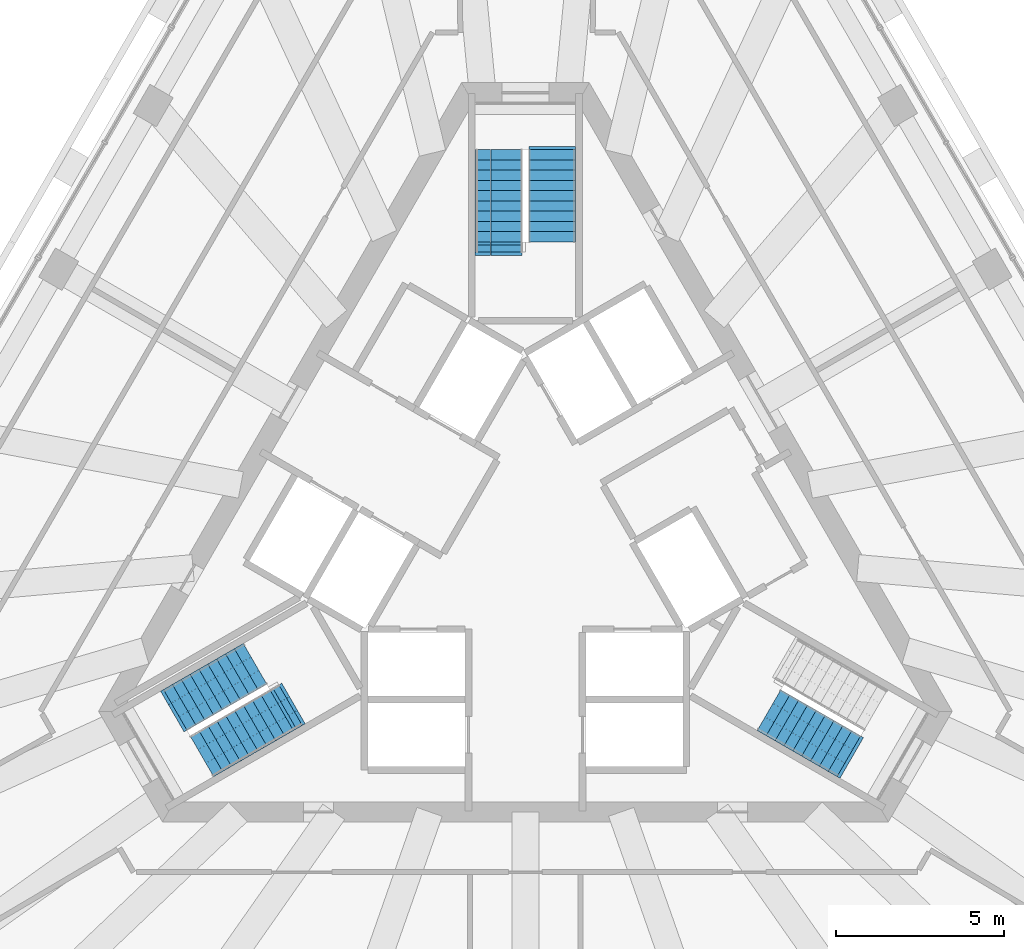
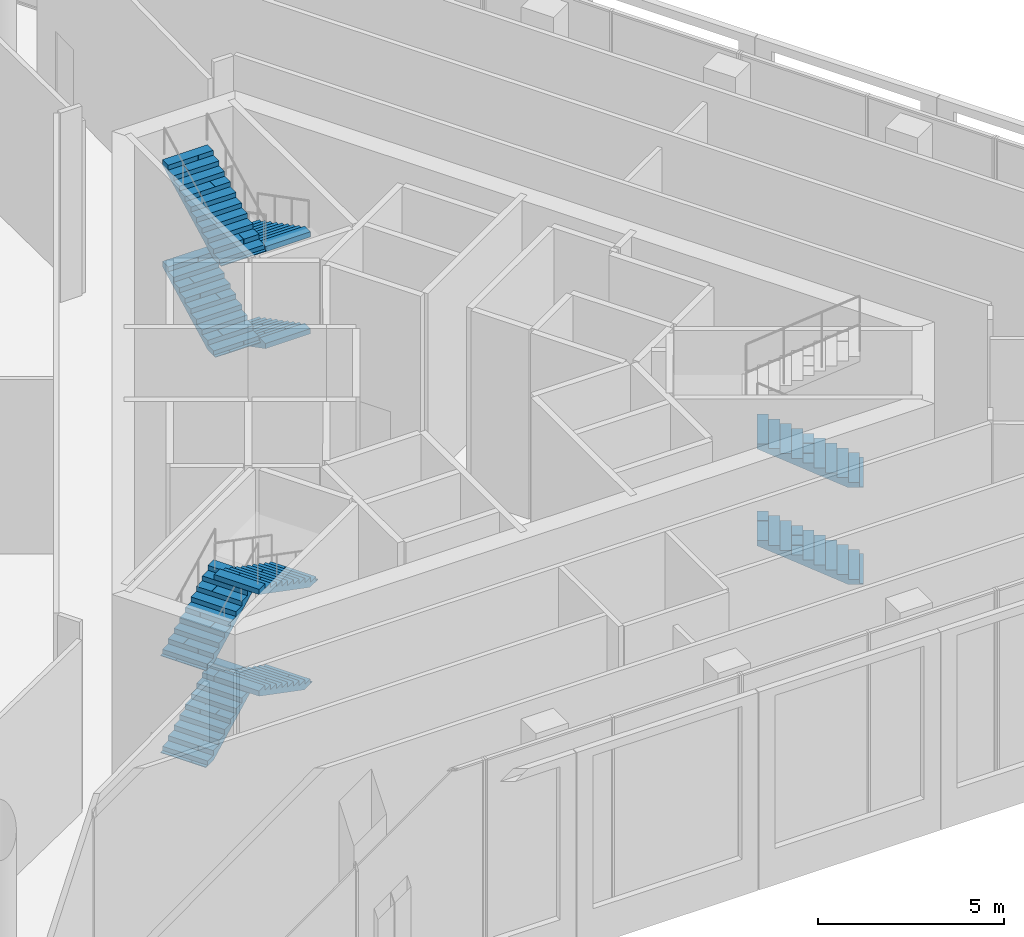
# One storey, part 13 of 16: 10 stair flights, 3 elements without a shape of their own.
"""IFC4 building model written with IfcOpenShell, lengths in metres."""

import ifcopenshell
import ifcopenshell.guid

model = None  # the IFC model being written
_history = None  # IfcOwnerHistory: only IFC2X3 demands one
_inside = {}  # id of a spatial element -> (the spatial element, [elements in it])
_under = {}  # id of a project, library or spatial element -> (it, [spatial elements below it])
_declared = {}  # id of a project -> (the project, [libraries it declares])
_typed = {}  # id of a type object -> (the type object, [elements of that type])
_made_of = {}  # id of a material, layer set ... -> (it, [elements and type objects made of it])


def new_model(schema):
    """Start an empty IFC model of exactly this schema.

    Asked for "IFC4X3", IfcOpenShell would pick the latest addendum, in which some entities
    have other attributes; the version numbers below select the first issue.
    IFC2X3 requires an IfcOwnerHistory on every rooted entity: one is made here for all.
    """
    global model, _history
    if schema == "IFC4X3":
        model = ifcopenshell.file(schema_version=(4, 3, 0, 0))
    else:
        model = ifcopenshell.file(schema=schema)
    _inside.clear()
    _under.clear()
    _declared.clear()
    _typed.clear()
    _made_of.clear()
    _history = None
    if model.schema == "IFC2X3":
        org = make("IfcOrganization", Name="unknown")
        user = make(
            "IfcPersonAndOrganization",
            ThePerson=make("IfcPerson", FamilyName="unknown"),
            TheOrganization=org,
        )
        app = make(
            "IfcApplication",
            ApplicationDeveloper=org,
            Version="unknown",
            ApplicationFullName="unknown",
            ApplicationIdentifier="unknown",
        )
        _history = make(
            "IfcOwnerHistory",
            OwningUser=user,
            OwningApplication=app,
            ChangeAction="ADDED",
            CreationDate=0,
        )
    return model


def make(cls, **values):
    """One entity of the class cls with the attributes given. An attribute that is None is left unset."""
    return model.create_entity(
        cls, **{name: value for name, value in values.items() if value is not None}
    )


def rooted(cls, **values):
    """An entity with a GlobalId (a new one), such as an element, a storey or a relation."""
    return make(cls, GlobalId=ifcopenshell.guid.new(), OwnerHistory=_history, **values)


def si_unit(unit_type, name, prefix=None):
    """IfcSIUnit, for example si_unit("LENGTHUNIT", "METRE", prefix="MILLI")."""
    return make("IfcSIUnit", UnitType=unit_type, Prefix=prefix, Name=name)


def assignment(units):
    """IfcUnitAssignment: the units of a project."""
    return None if units is None else make("IfcUnitAssignment", Units=units)


def point(xyz):
    """IfcCartesianPoint."""
    return None if xyz is None else make("IfcCartesianPoint", Coordinates=xyz)


def direction(xyz):
    """IfcDirection."""
    return None if xyz is None else make("IfcDirection", DirectionRatios=xyz)


def frame(location, z_axis=None, x_axis=None):
    """IfcAxis2Placement3D, a coordinate frame: its origin and axes. An axis left out is left unset."""
    return make(
        "IfcAxis2Placement3D",
        Location=point(location),
        Axis=direction(z_axis),
        RefDirection=direction(x_axis),
    )


def origin():
    """The frame at (0, 0, 0) with its axes left unset."""
    return frame((0.0, 0.0, 0.0))


def place(relative_to, where):
    """IfcLocalPlacement: puts the frame where relative to a parent placement (None: the world)."""
    return make(
        "IfcLocalPlacement", PlacementRelTo=relative_to, RelativePlacement=where
    )


def context(
    kind, dimensions, precision=None, world=None, true_north=None, identifier=None
):
    """IfcGeometricRepresentationContext, for example the 3D "Model" context."""
    return make(
        "IfcGeometricRepresentationContext",
        ContextIdentifier=identifier,
        ContextType=kind,
        CoordinateSpaceDimension=dimensions,
        Precision=precision,
        WorldCoordinateSystem=world,
        TrueNorth=true_north,
    )


def subcontext(parent, identifier, kind, view, scale=None):
    """IfcGeometricRepresentationSubContext, for example "Body" below "Model"."""
    return make(
        "IfcGeometricRepresentationSubContext",
        ContextIdentifier=identifier,
        ContextType=kind,
        ParentContext=parent,
        TargetScale=scale,
        TargetView=view,
    )


def project(units=None, contexts=None):
    """IfcProject with its units and contexts."""
    return rooted(
        "IfcProject",
        Name="project",
        RepresentationContexts=contexts,
        UnitsInContext=assignment(units),
    )


def spatial(cls, under=None, at=None, **own):
    """A site, building, storey or space (cls), placed at a placement, below another one or the project."""
    s = rooted(cls, ObjectPlacement=at, **own)
    if under is not None:
        _under.setdefault(under.id(), (under, []))[1].append(s)
    return s


def polyline(points):
    """IfcPolyline through the points."""
    return make("IfcPolyline", Points=[point(p) for p in points])


def outline(outer, holes=None, kind="AREA"):
    """IfcArbitraryClosedProfileDef: a profile drawn as a closed curve; with holes, ...WithVoids."""
    if holes is None:
        return make("IfcArbitraryClosedProfileDef", ProfileType=kind, OuterCurve=outer)
    return make(
        "IfcArbitraryProfileDefWithVoids",
        ProfileType=kind,
        OuterCurve=outer,
        InnerCurves=holes,
    )


def extrude(swept, where, along, depth):
    """IfcExtrudedAreaSolid: the profile swept, set in the frame where, extruded along a direction by depth."""
    return make(
        "IfcExtrudedAreaSolid",
        SweptArea=swept,
        Position=where,
        ExtrudedDirection=direction(along),
        Depth=depth,
    )


def shape(context_of_items, identifier, shape_type, items):
    """IfcShapeRepresentation: the items that make up one representation, for example the "Body"."""
    return make(
        "IfcShapeRepresentation",
        ContextOfItems=context_of_items,
        RepresentationIdentifier=identifier,
        RepresentationType=shape_type,
        Items=items,
    )


def material(Name=None, Category=None):
    """IfcMaterial."""
    return make("IfcMaterial", Name=Name, Category=Category)


def made_of(thing, what):
    """Note that an element or type object is made of a material, layer set ...; save() writes the relation."""
    if what is not None:
        _made_of.setdefault(what.id(), (what, []))[1].append(thing)
    return thing


def type_object(cls, material=None, **own):
    """A type object (cls), such as IfcWallType, which elements share."""
    return made_of(rooted(cls, **own), material)


def element(
    cls,
    number,
    at=None,
    inside=None,
    cuts=None,
    type_object=None,
    material=None,
    context=None,
    identifier="Body",
    shape_type=None,
    held_by="IfcProductDefinitionShape",
    body=None,
    shapes=None,
    **own,
):
    """One element of the class cls, such as IfcWall. Its Tag is "e" and its number.

    at: its placement. inside: the storey or other place that contains it. cuts: it is an
    opening in that element (IfcRelVoidsElement). A single representation is given by context,
    identifier, shape_type and body (its items); several are given by shapes. held_by: the class
    of the entity that holds the representations. save() writes the other relations.
    """
    e = rooted(cls, Tag="e%d" % number, ObjectPlacement=at, **own)
    if body is not None:
        shapes = [shape(context, identifier, shape_type, body)]
    if shapes is not None:
        e.Representation = make(held_by, Representations=shapes)
    if inside is not None:
        _inside.setdefault(inside.id(), (inside, []))[1].append(e)
    if cuts is not None:
        rooted(
            "IfcRelVoidsElement", RelatingBuildingElement=cuts, RelatedOpeningElement=e
        )
    if type_object is not None:
        _typed.setdefault(type_object.id(), (type_object, []))[1].append(e)
    return made_of(e, material)


def aggregate(whole, parts):
    """IfcRelAggregates: a whole, such as a stair, and the parts it consists of."""
    return rooted("IfcRelAggregates", RelatingObject=whole, RelatedObjects=parts)


def save(model, path):
    """Write the relations noted so far, then the file.

    IfcRelAggregates (storeys below a building ...), IfcRelContainedInSpatialStructure (elements
    in a storey), IfcRelDefinesByType, IfcRelAssociatesMaterial and IfcRelDeclares: one each for
    every whole, place, type object, material and project.
    """
    for whole, parts in _under.values():
        aggregate(whole, parts)
    for where, things in _inside.values():
        rooted(
            "IfcRelContainedInSpatialStructure",
            RelatedElements=things,
            RelatingStructure=where,
        )
    for kind, things in _typed.values():
        rooted("IfcRelDefinesByType", RelatedObjects=things, RelatingType=kind)
    for what, things in _made_of.values():
        rooted("IfcRelAssociatesMaterial", RelatedObjects=things, RelatingMaterial=what)
    for by, libraries in _declared.values():
        rooted("IfcRelDeclares", RelatingContext=by, RelatedDefinitions=libraries)
    model.write(path)


model = new_model("IFC4")

# Units and contexts
model_context = context("Model", 3, precision=1e-05, world=origin(), true_north=direction((0.0, 1.0)))
body_context = subcontext(model_context, "Body", "Model", "MODEL_VIEW")
ifc_project = project(units=[si_unit("LENGTHUNIT", "METRE"), si_unit("AREAUNIT", "SQUARE_METRE"), si_unit("VOLUMEUNIT", "CUBIC_METRE"), si_unit("PLANEANGLEUNIT", "RADIAN"), si_unit("MASSUNIT", "GRAM", prefix="KILO")], contexts=[model_context])

# Site, building, storey
site_placement = place(None, origin())
site = spatial("IfcSite", under=ifc_project, at=site_placement, CompositionType="ELEMENT")
building_placement = place(site_placement, origin())
building = spatial("IfcBuilding", under=site, at=building_placement, Name="Triada Interchange Tower", CompositionType="ELEMENT")
storey_placement = place(building_placement, frame((0.0, 0.0, 261.800048828125)))
storey = spatial("IfcBuildingStorey", under=building, at=storey_placement, Name="L61", CompositionType="ELEMENT", Elevation=261.800048828125)

# Stair, stair flights
ifc_material = material(Name="Concrete C35/45", Category="concrete")
stair_type = type_object("IfcStairType", Name="HALF TURN STAIR 1400", PredefinedType="HALF_TURN_STAIR", material=ifc_material)
stair_1_placement = place(storey_placement, origin())
stair_1 = element("IfcStair", 1, at=stair_1_placement, inside=storey, type_object=stair_type, Name="Exit stair S61-1", PredefinedType="HALF_TURN_STAIR")
stair_flight_type = type_object("IfcStairFlightType", Name="STRAIGHT STAIR FLIGHT 1400", PredefinedType="STRAIGHT", material=ifc_material)
stair_flight_1_placement = place(storey_placement, frame((0.800048828125, 11.60009765625, 0.0), z_axis=(0.0, 0.0, 1.0), x_axis=(0.0, -1.0, 0.0)))
stair_flight_1 = element("IfcStairFlight", 2, at=stair_flight_1_placement, type_object=stair_flight_type, Name="S61-1 flight 1", NumberOfRisers=10, NumberOfTreads=9, PredefinedType="STRAIGHT", RiserHeight=0.15854, TreadLength=0.305, context=body_context, shape_type="SweptSolid", body=[
    extrude(outline(polyline([(-0.10009765625, 0.0), (-0.10009765625, 0.02001953125), (0.0, 0.02001953125), (0.0, 0.158447265625), (0.304931640625, 0.158447265625), (0.304931640625, 0.317138671875), (0.610107421875, 0.317138671875), (0.610107421875, 0.4755859375), (0.9150390625, 0.4755859375), (0.9150390625, 0.63427734375), (1.219970703125, 0.63427734375), (1.219970703125, 0.792724609375), (1.52490234375, 0.792724609375), (1.52490234375, 0.951171875), (1.830078125, 0.951171875), (1.830078125, 1.10986328125), (2.135009765625, 1.10986328125), (2.135009765625, 1.268310546875), (2.43994140625, 1.268310546875), (2.43994140625, 1.4267578125), (2.7451171875, 1.4267578125), (2.7490234375, 1.4267578125), (2.7490234375, 1.58544921875), (2.7490234375, 1.2578125), (0.324951171875, 0.0), (-0.10009765625, 0.0)])), frame((0.0, 0.699951171875, 0.0), z_axis=(0.0, -1.0, 0.0), x_axis=(1.0, 0.0, 0.0)), (0.0, 0.0, 1.0), 0.46533203125),
    extrude(outline(polyline([(-0.10009765625, 0.0), (-0.10009765625, 0.02001953125), (0.0, 0.02001953125), (0.0, 0.158447265625), (0.304931640625, 0.158447265625), (0.304931640625, 0.317138671875), (0.610107421875, 0.317138671875), (0.610107421875, 0.4755859375), (0.9150390625, 0.4755859375), (0.9150390625, 0.63427734375), (1.219970703125, 0.63427734375), (1.219970703125, 0.792724609375), (1.52490234375, 0.792724609375), (1.52490234375, 0.951171875), (1.830078125, 0.951171875), (1.830078125, 1.10986328125), (2.135009765625, 1.10986328125), (2.135009765625, 1.268310546875), (2.43994140625, 1.268310546875), (2.43994140625, 1.4267578125), (2.7451171875, 1.4267578125), (2.7490234375, 1.4267578125), (2.7490234375, 1.58544921875), (2.7490234375, 1.2578125), (0.324951171875, 0.0), (-0.10009765625, 0.0)])), frame((0.0, 0.232666015625, 0.0), z_axis=(0.0, -1.0, 0.0), x_axis=(1.0, 0.0, 0.0)), (0.0, 0.0, 1.0), 0.46533203125),
    extrude(outline(polyline([(-0.10009765625, 0.0), (-0.10009765625, 0.02001953125), (0.0, 0.02001953125), (0.0, 0.158447265625), (0.304931640625, 0.158447265625), (0.304931640625, 0.317138671875), (0.610107421875, 0.317138671875), (0.610107421875, 0.4755859375), (0.9150390625, 0.4755859375), (0.9150390625, 0.63427734375), (1.219970703125, 0.63427734375), (1.219970703125, 0.792724609375), (1.52490234375, 0.792724609375), (1.52490234375, 0.951171875), (1.830078125, 0.951171875), (1.830078125, 1.10986328125), (2.135009765625, 1.10986328125), (2.135009765625, 1.268310546875), (2.43994140625, 1.268310546875), (2.43994140625, 1.4267578125), (2.7451171875, 1.4267578125), (2.7490234375, 1.4267578125), (2.7490234375, 1.58544921875), (2.7490234375, 1.2578125), (0.324951171875, 0.0), (-0.10009765625, 0.0)])), frame((0.0, -0.234619140625, 0.0), z_axis=(0.0, -1.0, 0.0), x_axis=(1.0, 0.0, 0.0)), (0.0, 0.0, 1.0), 0.46533203125),
])
stair_flight_2_placement = place(storey_placement, frame((-0.800048828125, 8.85498046875, 1.58544921875), z_axis=(0.0, 0.0, 1.0), x_axis=(0.0, 1.0, 0.0)))
stair_flight_2 = element("IfcStairFlight", 3, at=stair_flight_2_placement, type_object=stair_flight_type, Name="S61-1 flight 2", NumberOfRisers=10, NumberOfTreads=9, PredefinedType="STRAIGHT", RiserHeight=0.15854, TreadLength=0.305, context=body_context, shape_type="SweptSolid", body=[
    extrude(outline(polyline([(-0.10009765625, 0.0), (-0.10009765625, 0.02001953125), (0.0, 0.02001953125), (0.0, 0.158447265625), (0.304931640625, 0.158447265625), (0.304931640625, 0.317138671875), (0.610107421875, 0.317138671875), (0.610107421875, 0.4755859375), (0.9150390625, 0.4755859375), (0.9150390625, 0.63427734375), (1.219970703125, 0.63427734375), (1.219970703125, 0.792724609375), (1.52490234375, 0.792724609375), (1.52490234375, 0.951171875), (1.830078125, 0.951171875), (1.830078125, 1.10986328125), (2.135009765625, 1.10986328125), (2.135009765625, 1.268310546875), (2.43994140625, 1.268310546875), (2.43994140625, 1.4267578125), (2.7451171875, 1.4267578125), (2.7490234375, 1.4267578125), (2.7490234375, 1.58544921875), (2.7490234375, 1.2578125), (0.324951171875, 0.0), (-0.10009765625, 0.0)])), frame((0.0, 0.699951171875, 0.0), z_axis=(0.0, -1.0, 0.0), x_axis=(1.0, 0.0, 0.0)), (0.0, 0.0, 1.0), 0.46533203125),
    extrude(outline(polyline([(-0.10009765625, 0.0), (-0.10009765625, 0.02001953125), (0.0, 0.02001953125), (0.0, 0.158447265625), (0.304931640625, 0.158447265625), (0.304931640625, 0.317138671875), (0.610107421875, 0.317138671875), (0.610107421875, 0.4755859375), (0.9150390625, 0.4755859375), (0.9150390625, 0.63427734375), (1.219970703125, 0.63427734375), (1.219970703125, 0.792724609375), (1.52490234375, 0.792724609375), (1.52490234375, 0.951171875), (1.830078125, 0.951171875), (1.830078125, 1.10986328125), (2.135009765625, 1.10986328125), (2.135009765625, 1.268310546875), (2.43994140625, 1.268310546875), (2.43994140625, 1.4267578125), (2.7451171875, 1.4267578125), (2.7490234375, 1.4267578125), (2.7490234375, 1.58544921875), (2.7490234375, 1.2578125), (0.324951171875, 0.0), (-0.10009765625, 0.0)])), frame((0.0, 0.232666015625, 0.0), z_axis=(0.0, -1.0, 0.0), x_axis=(1.0, 0.0, 0.0)), (0.0, 0.0, 1.0), 0.46533203125),
    extrude(outline(polyline([(-0.10009765625, 0.0), (-0.10009765625, 0.02001953125), (0.0, 0.02001953125), (0.0, 0.158447265625), (0.304931640625, 0.158447265625), (0.304931640625, 0.317138671875), (0.610107421875, 0.317138671875), (0.610107421875, 0.4755859375), (0.9150390625, 0.4755859375), (0.9150390625, 0.63427734375), (1.219970703125, 0.63427734375), (1.219970703125, 0.792724609375), (1.52490234375, 0.792724609375), (1.52490234375, 0.951171875), (1.830078125, 0.951171875), (1.830078125, 1.10986328125), (2.135009765625, 1.10986328125), (2.135009765625, 1.268310546875), (2.43994140625, 1.268310546875), (2.43994140625, 1.4267578125), (2.7451171875, 1.4267578125), (2.7490234375, 1.4267578125), (2.7490234375, 1.58544921875), (2.7490234375, 1.2578125), (0.324951171875, 0.0), (-0.10009765625, 0.0)])), frame((0.0, -0.234619140625, 0.0), z_axis=(0.0, -1.0, 0.0), x_axis=(1.0, 0.0, 0.0)), (0.0, 0.0, 1.0), 0.46533203125),
])
stair_flight_3_placement = place(storey_placement, frame((0.800048828125, 11.60009765625, 3.170654296875), z_axis=(0.0, 0.0, 1.0), x_axis=(0.0, -1.0, 0.0)))
stair_flight_3 = element("IfcStairFlight", 4, at=stair_flight_3_placement, type_object=stair_flight_type, Name="S61-1 flight 3", NumberOfRisers=10, NumberOfTreads=9, PredefinedType="STRAIGHT", RiserHeight=0.15854, TreadLength=0.305, context=body_context, shape_type="SweptSolid", body=[
    extrude(outline(polyline([(-0.10009765625, 0.0), (-0.10009765625, 0.02001953125), (0.0, 0.02001953125), (0.0, 0.158447265625), (0.304931640625, 0.158447265625), (0.304931640625, 0.317138671875), (0.610107421875, 0.317138671875), (0.610107421875, 0.4755859375), (0.9150390625, 0.4755859375), (0.9150390625, 0.63427734375), (1.219970703125, 0.63427734375), (1.219970703125, 0.792724609375), (1.52490234375, 0.792724609375), (1.52490234375, 0.951171875), (1.830078125, 0.951171875), (1.830078125, 1.10986328125), (2.135009765625, 1.10986328125), (2.135009765625, 1.268310546875), (2.43994140625, 1.268310546875), (2.43994140625, 1.4267578125), (2.7451171875, 1.4267578125), (2.7490234375, 1.4267578125), (2.7490234375, 1.58544921875), (2.7490234375, 1.2578125), (0.324951171875, 0.0), (-0.10009765625, 0.0)])), frame((0.0, 0.699951171875, 0.0), z_axis=(0.0, -1.0, 0.0), x_axis=(1.0, 0.0, 0.0)), (0.0, 0.0, 1.0), 0.46533203125),
    extrude(outline(polyline([(-0.10009765625, 0.0), (-0.10009765625, 0.02001953125), (0.0, 0.02001953125), (0.0, 0.158447265625), (0.304931640625, 0.158447265625), (0.304931640625, 0.317138671875), (0.610107421875, 0.317138671875), (0.610107421875, 0.4755859375), (0.9150390625, 0.4755859375), (0.9150390625, 0.63427734375), (1.219970703125, 0.63427734375), (1.219970703125, 0.792724609375), (1.52490234375, 0.792724609375), (1.52490234375, 0.951171875), (1.830078125, 0.951171875), (1.830078125, 1.10986328125), (2.135009765625, 1.10986328125), (2.135009765625, 1.268310546875), (2.43994140625, 1.268310546875), (2.43994140625, 1.4267578125), (2.7451171875, 1.4267578125), (2.7490234375, 1.4267578125), (2.7490234375, 1.58544921875), (2.7490234375, 1.2578125), (0.324951171875, 0.0), (-0.10009765625, 0.0)])), frame((0.0, 0.232666015625, 0.0), z_axis=(0.0, -1.0, 0.0), x_axis=(1.0, 0.0, 0.0)), (0.0, 0.0, 1.0), 0.46533203125),
    extrude(outline(polyline([(-0.10009765625, 0.0), (-0.10009765625, 0.02001953125), (0.0, 0.02001953125), (0.0, 0.158447265625), (0.304931640625, 0.158447265625), (0.304931640625, 0.317138671875), (0.610107421875, 0.317138671875), (0.610107421875, 0.4755859375), (0.9150390625, 0.4755859375), (0.9150390625, 0.63427734375), (1.219970703125, 0.63427734375), (1.219970703125, 0.792724609375), (1.52490234375, 0.792724609375), (1.52490234375, 0.951171875), (1.830078125, 0.951171875), (1.830078125, 1.10986328125), (2.135009765625, 1.10986328125), (2.135009765625, 1.268310546875), (2.43994140625, 1.268310546875), (2.43994140625, 1.4267578125), (2.7451171875, 1.4267578125), (2.7490234375, 1.4267578125), (2.7490234375, 1.58544921875), (2.7490234375, 1.2578125), (0.324951171875, 0.0), (-0.10009765625, 0.0)])), frame((0.0, -0.234619140625, 0.0), z_axis=(0.0, -1.0, 0.0), x_axis=(1.0, 0.0, 0.0)), (0.0, 0.0, 1.0), 0.46533203125),
])
stair_flight_4_placement = place(storey_placement, frame((-0.800048828125, 8.550048828125, 4.756103515625), z_axis=(0.0, 0.0, 1.0), x_axis=(0.0, 1.0, 0.0)))
stair_flight_4 = element("IfcStairFlight", 5, at=stair_flight_4_placement, type_object=stair_flight_type, Name="S61-1 flight 4", NumberOfRisers=11, NumberOfTreads=10, PredefinedType="STRAIGHT", RiserHeight=0.15854, TreadLength=0.305, context=body_context, shape_type="SweptSolid", body=[
    extrude(outline(polyline([(-0.10009765625, 0.0), (-0.10009765625, 0.02001953125), (0.0, 0.02001953125), (0.0, 0.158447265625), (0.304931640625, 0.158447265625), (0.304931640625, 0.317138671875), (0.610107421875, 0.317138671875), (0.610107421875, 0.4755859375), (0.9150390625, 0.4755859375), (0.9150390625, 0.63427734375), (1.219970703125, 0.63427734375), (1.219970703125, 0.792724609375), (1.52490234375, 0.792724609375), (1.52490234375, 0.951171875), (1.830078125, 0.951171875), (1.830078125, 1.10986328125), (2.135009765625, 1.10986328125), (2.135009765625, 1.268310546875), (2.43994140625, 1.268310546875), (2.43994140625, 1.4267578125), (2.7451171875, 1.4267578125), (2.7451171875, 1.58544921875), (3.050048828125, 1.58544921875), (3.053955078125, 1.58544921875), (3.053955078125, 1.743896484375), (3.053955078125, 1.41650390625), (0.324951171875, 0.0), (-0.10009765625, 0.0)])), frame((0.0, 0.699951171875, 0.0), z_axis=(0.0, -1.0, 0.0), x_axis=(1.0, 0.0, 0.0)), (0.0, 0.0, 1.0), 0.46533203125),
    extrude(outline(polyline([(-0.10009765625, 0.0), (-0.10009765625, 0.02001953125), (0.0, 0.02001953125), (0.0, 0.158447265625), (0.304931640625, 0.158447265625), (0.304931640625, 0.317138671875), (0.610107421875, 0.317138671875), (0.610107421875, 0.4755859375), (0.9150390625, 0.4755859375), (0.9150390625, 0.63427734375), (1.219970703125, 0.63427734375), (1.219970703125, 0.792724609375), (1.52490234375, 0.792724609375), (1.52490234375, 0.951171875), (1.830078125, 0.951171875), (1.830078125, 1.10986328125), (2.135009765625, 1.10986328125), (2.135009765625, 1.268310546875), (2.43994140625, 1.268310546875), (2.43994140625, 1.4267578125), (2.7451171875, 1.4267578125), (2.7451171875, 1.58544921875), (3.050048828125, 1.58544921875), (3.053955078125, 1.58544921875), (3.053955078125, 1.743896484375), (3.053955078125, 1.41650390625), (0.324951171875, 0.0), (-0.10009765625, 0.0)])), frame((0.0, 0.232666015625, 0.0), z_axis=(0.0, -1.0, 0.0), x_axis=(1.0, 0.0, 0.0)), (0.0, 0.0, 1.0), 0.46533203125),
    extrude(outline(polyline([(-0.10009765625, 0.0), (-0.10009765625, 0.02001953125), (0.0, 0.02001953125), (0.0, 0.158447265625), (0.304931640625, 0.158447265625), (0.304931640625, 0.317138671875), (0.610107421875, 0.317138671875), (0.610107421875, 0.4755859375), (0.9150390625, 0.4755859375), (0.9150390625, 0.63427734375), (1.219970703125, 0.63427734375), (1.219970703125, 0.792724609375), (1.52490234375, 0.792724609375), (1.52490234375, 0.951171875), (1.830078125, 0.951171875), (1.830078125, 1.10986328125), (2.135009765625, 1.10986328125), (2.135009765625, 1.268310546875), (2.43994140625, 1.268310546875), (2.43994140625, 1.4267578125), (2.7451171875, 1.4267578125), (2.7451171875, 1.58544921875), (3.050048828125, 1.58544921875), (3.053955078125, 1.58544921875), (3.053955078125, 1.743896484375), (3.053955078125, 1.41650390625), (0.324951171875, 0.0), (-0.10009765625, 0.0)])), frame((0.0, -0.234619140625, 0.0), z_axis=(0.0, -1.0, 0.0), x_axis=(1.0, 0.0, 0.0)), (0.0, 0.0, 1.0), 0.46533203125),
])
aggregate(stair_1, [stair_flight_1, stair_flight_2, stair_flight_3, stair_flight_4])

stair_2_placement = place(storey_placement, origin())
stair_2 = element("IfcStair", 6, at=stair_2_placement, inside=storey, type_object=stair_type, Name="Exit stair S61-2", PredefinedType="HALF_TURN_STAIR")
stair_flight_5_placement = place(storey_placement, frame((-10.446044921875, -5.10693359375, 0.0), z_axis=(0.0, 0.0, 1.0), x_axis=(0.866025403784, 0.5, 0.0)))
stair_flight_5 = element("IfcStairFlight", 7, at=stair_flight_5_placement, type_object=stair_flight_type, Name="S61-2 flight 1", NumberOfRisers=10, NumberOfTreads=9, PredefinedType="STRAIGHT", RiserHeight=0.15854, TreadLength=0.305, context=body_context, shape_type="SweptSolid", body=[
    extrude(outline(polyline([(-0.10009765625, 0.0), (-0.10009765625, 0.02001953125), (0.0, 0.02001953125), (0.0, 0.158447265625), (0.304931640625, 0.158447265625), (0.304931640625, 0.317138671875), (0.610107421875, 0.317138671875), (0.610107421875, 0.4755859375), (0.9150390625, 0.4755859375), (0.9150390625, 0.63427734375), (1.219970703125, 0.63427734375), (1.219970703125, 0.792724609375), (1.52490234375, 0.792724609375), (1.52490234375, 0.951171875), (1.830078125, 0.951171875), (1.830078125, 1.10986328125), (2.135009765625, 1.10986328125), (2.135009765625, 1.268310546875), (2.43994140625, 1.268310546875), (2.43994140625, 1.4267578125), (2.7451171875, 1.4267578125), (2.7490234375, 1.4267578125), (2.7490234375, 1.58544921875), (2.7490234375, 1.2578125), (0.324951171875, 0.0), (-0.10009765625, 0.0)])), frame((0.0, 0.699951171875, 0.0), z_axis=(0.0, -1.0, 0.0), x_axis=(1.0, 0.0, 0.0)), (0.0, 0.0, 1.0), 0.46533203125),
    extrude(outline(polyline([(-0.10009765625, 0.0), (-0.10009765625, 0.02001953125), (0.0, 0.02001953125), (0.0, 0.158447265625), (0.304931640625, 0.158447265625), (0.304931640625, 0.317138671875), (0.610107421875, 0.317138671875), (0.610107421875, 0.4755859375), (0.9150390625, 0.4755859375), (0.9150390625, 0.63427734375), (1.219970703125, 0.63427734375), (1.219970703125, 0.792724609375), (1.52490234375, 0.792724609375), (1.52490234375, 0.951171875), (1.830078125, 0.951171875), (1.830078125, 1.10986328125), (2.135009765625, 1.10986328125), (2.135009765625, 1.268310546875), (2.43994140625, 1.268310546875), (2.43994140625, 1.4267578125), (2.7451171875, 1.4267578125), (2.7490234375, 1.4267578125), (2.7490234375, 1.58544921875), (2.7490234375, 1.2578125), (0.324951171875, 0.0), (-0.10009765625, 0.0)])), frame((0.0, 0.232666015625, 0.0), z_axis=(0.0, -1.0, 0.0), x_axis=(1.0, 0.0, 0.0)), (0.0, 0.0, 1.0), 0.46533203125),
    extrude(outline(polyline([(-0.10009765625, 0.0), (-0.10009765625, 0.02001953125), (0.0, 0.02001953125), (0.0, 0.158447265625), (0.304931640625, 0.158447265625), (0.304931640625, 0.317138671875), (0.610107421875, 0.317138671875), (0.610107421875, 0.4755859375), (0.9150390625, 0.4755859375), (0.9150390625, 0.63427734375), (1.219970703125, 0.63427734375), (1.219970703125, 0.792724609375), (1.52490234375, 0.792724609375), (1.52490234375, 0.951171875), (1.830078125, 0.951171875), (1.830078125, 1.10986328125), (2.135009765625, 1.10986328125), (2.135009765625, 1.268310546875), (2.43994140625, 1.268310546875), (2.43994140625, 1.4267578125), (2.7451171875, 1.4267578125), (2.7490234375, 1.4267578125), (2.7490234375, 1.58544921875), (2.7490234375, 1.2578125), (0.324951171875, 0.0), (-0.10009765625, 0.0)])), frame((0.0, -0.234619140625, 0.0), z_axis=(0.0, -1.0, 0.0), x_axis=(1.0, 0.0, 0.0)), (0.0, 0.0, 1.0), 0.46533203125),
])
stair_flight_6_placement = place(storey_placement, frame((-7.26904296875, -5.1201171875, 1.58544921875), z_axis=(0.0, 0.0, 1.0), x_axis=(-0.866025403784, -0.5, 0.0)))
stair_flight_6 = element("IfcStairFlight", 8, at=stair_flight_6_placement, type_object=stair_flight_type, Name="S61-2 flight 2", NumberOfRisers=10, NumberOfTreads=9, PredefinedType="STRAIGHT", RiserHeight=0.15854, TreadLength=0.305, context=body_context, shape_type="SweptSolid", body=[
    extrude(outline(polyline([(-0.10009765625, 0.0), (-0.10009765625, 0.02001953125), (0.0, 0.02001953125), (0.0, 0.158447265625), (0.304931640625, 0.158447265625), (0.304931640625, 0.317138671875), (0.610107421875, 0.317138671875), (0.610107421875, 0.4755859375), (0.9150390625, 0.4755859375), (0.9150390625, 0.63427734375), (1.219970703125, 0.63427734375), (1.219970703125, 0.792724609375), (1.52490234375, 0.792724609375), (1.52490234375, 0.951171875), (1.830078125, 0.951171875), (1.830078125, 1.10986328125), (2.135009765625, 1.10986328125), (2.135009765625, 1.268310546875), (2.43994140625, 1.268310546875), (2.43994140625, 1.4267578125), (2.7451171875, 1.4267578125), (2.7490234375, 1.4267578125), (2.7490234375, 1.58544921875), (2.7490234375, 1.2578125), (0.324951171875, 0.0), (-0.10009765625, 0.0)])), frame((0.0, 0.699951171875, 0.0), z_axis=(0.0, -1.0, 0.0), x_axis=(1.0, 0.0, 0.0)), (0.0, 0.0, 1.0), 0.46533203125),
    extrude(outline(polyline([(-0.10009765625, 0.0), (-0.10009765625, 0.02001953125), (0.0, 0.02001953125), (0.0, 0.158447265625), (0.304931640625, 0.158447265625), (0.304931640625, 0.317138671875), (0.610107421875, 0.317138671875), (0.610107421875, 0.4755859375), (0.9150390625, 0.4755859375), (0.9150390625, 0.63427734375), (1.219970703125, 0.63427734375), (1.219970703125, 0.792724609375), (1.52490234375, 0.792724609375), (1.52490234375, 0.951171875), (1.830078125, 0.951171875), (1.830078125, 1.10986328125), (2.135009765625, 1.10986328125), (2.135009765625, 1.268310546875), (2.43994140625, 1.268310546875), (2.43994140625, 1.4267578125), (2.7451171875, 1.4267578125), (2.7490234375, 1.4267578125), (2.7490234375, 1.58544921875), (2.7490234375, 1.2578125), (0.324951171875, 0.0), (-0.10009765625, 0.0)])), frame((0.0, 0.232666015625, 0.0), z_axis=(0.0, -1.0, 0.0), x_axis=(1.0, 0.0, 0.0)), (0.0, 0.0, 1.0), 0.46533203125),
    extrude(outline(polyline([(-0.10009765625, 0.0), (-0.10009765625, 0.02001953125), (0.0, 0.02001953125), (0.0, 0.158447265625), (0.304931640625, 0.158447265625), (0.304931640625, 0.317138671875), (0.610107421875, 0.317138671875), (0.610107421875, 0.4755859375), (0.9150390625, 0.4755859375), (0.9150390625, 0.63427734375), (1.219970703125, 0.63427734375), (1.219970703125, 0.792724609375), (1.52490234375, 0.792724609375), (1.52490234375, 0.951171875), (1.830078125, 0.951171875), (1.830078125, 1.10986328125), (2.135009765625, 1.10986328125), (2.135009765625, 1.268310546875), (2.43994140625, 1.268310546875), (2.43994140625, 1.4267578125), (2.7451171875, 1.4267578125), (2.7490234375, 1.4267578125), (2.7490234375, 1.58544921875), (2.7490234375, 1.2578125), (0.324951171875, 0.0), (-0.10009765625, 0.0)])), frame((0.0, -0.234619140625, 0.0), z_axis=(0.0, -1.0, 0.0), x_axis=(1.0, 0.0, 0.0)), (0.0, 0.0, 1.0), 0.46533203125),
])
stair_flight_7_placement = place(storey_placement, frame((-10.446044921875, -5.10693359375, 3.170654296875), z_axis=(0.0, 0.0, 1.0), x_axis=(0.866025403784, 0.5, 0.0)))
stair_flight_7 = element("IfcStairFlight", 9, at=stair_flight_7_placement, type_object=stair_flight_type, Name="S61-2 flight 3", NumberOfRisers=10, NumberOfTreads=9, PredefinedType="STRAIGHT", RiserHeight=0.15854, TreadLength=0.305, context=body_context, shape_type="SweptSolid", body=[
    extrude(outline(polyline([(-0.10009765625, 0.0), (-0.10009765625, 0.02001953125), (0.0, 0.02001953125), (0.0, 0.158447265625), (0.304931640625, 0.158447265625), (0.304931640625, 0.317138671875), (0.610107421875, 0.317138671875), (0.610107421875, 0.4755859375), (0.9150390625, 0.4755859375), (0.9150390625, 0.63427734375), (1.219970703125, 0.63427734375), (1.219970703125, 0.792724609375), (1.52490234375, 0.792724609375), (1.52490234375, 0.951171875), (1.830078125, 0.951171875), (1.830078125, 1.10986328125), (2.135009765625, 1.10986328125), (2.135009765625, 1.268310546875), (2.43994140625, 1.268310546875), (2.43994140625, 1.4267578125), (2.7451171875, 1.4267578125), (2.7490234375, 1.4267578125), (2.7490234375, 1.58544921875), (2.7490234375, 1.2578125), (0.324951171875, 0.0), (-0.10009765625, 0.0)])), frame((0.0, 0.699951171875, 0.0), z_axis=(0.0, -1.0, 0.0), x_axis=(1.0, 0.0, 0.0)), (0.0, 0.0, 1.0), 0.46533203125),
    extrude(outline(polyline([(-0.10009765625, 0.0), (-0.10009765625, 0.02001953125), (0.0, 0.02001953125), (0.0, 0.158447265625), (0.304931640625, 0.158447265625), (0.304931640625, 0.317138671875), (0.610107421875, 0.317138671875), (0.610107421875, 0.4755859375), (0.9150390625, 0.4755859375), (0.9150390625, 0.63427734375), (1.219970703125, 0.63427734375), (1.219970703125, 0.792724609375), (1.52490234375, 0.792724609375), (1.52490234375, 0.951171875), (1.830078125, 0.951171875), (1.830078125, 1.10986328125), (2.135009765625, 1.10986328125), (2.135009765625, 1.268310546875), (2.43994140625, 1.268310546875), (2.43994140625, 1.4267578125), (2.7451171875, 1.4267578125), (2.7490234375, 1.4267578125), (2.7490234375, 1.58544921875), (2.7490234375, 1.2578125), (0.324951171875, 0.0), (-0.10009765625, 0.0)])), frame((0.0, 0.232666015625, 0.0), z_axis=(0.0, -1.0, 0.0), x_axis=(1.0, 0.0, 0.0)), (0.0, 0.0, 1.0), 0.46533203125),
    extrude(outline(polyline([(-0.10009765625, 0.0), (-0.10009765625, 0.02001953125), (0.0, 0.02001953125), (0.0, 0.158447265625), (0.304931640625, 0.158447265625), (0.304931640625, 0.317138671875), (0.610107421875, 0.317138671875), (0.610107421875, 0.4755859375), (0.9150390625, 0.4755859375), (0.9150390625, 0.63427734375), (1.219970703125, 0.63427734375), (1.219970703125, 0.792724609375), (1.52490234375, 0.792724609375), (1.52490234375, 0.951171875), (1.830078125, 0.951171875), (1.830078125, 1.10986328125), (2.135009765625, 1.10986328125), (2.135009765625, 1.268310546875), (2.43994140625, 1.268310546875), (2.43994140625, 1.4267578125), (2.7451171875, 1.4267578125), (2.7490234375, 1.4267578125), (2.7490234375, 1.58544921875), (2.7490234375, 1.2578125), (0.324951171875, 0.0), (-0.10009765625, 0.0)])), frame((0.0, -0.234619140625, 0.0), z_axis=(0.0, -1.0, 0.0), x_axis=(1.0, 0.0, 0.0)), (0.0, 0.0, 1.0), 0.46533203125),
])
stair_flight_8_placement = place(storey_placement, frame((-7.0048828125, -4.968017578125, 4.756103515625), z_axis=(0.0, 0.0, 1.0), x_axis=(-0.866025403784, -0.5, 0.0)))
stair_flight_8 = element("IfcStairFlight", 10, at=stair_flight_8_placement, type_object=stair_flight_type, Name="S61-2 flight 4", NumberOfRisers=11, NumberOfTreads=10, PredefinedType="STRAIGHT", RiserHeight=0.15854, TreadLength=0.305, context=body_context, shape_type="SweptSolid", body=[
    extrude(outline(polyline([(-0.10009765625, 0.0), (-0.10009765625, 0.02001953125), (0.0, 0.02001953125), (0.0, 0.158447265625), (0.304931640625, 0.158447265625), (0.304931640625, 0.317138671875), (0.610107421875, 0.317138671875), (0.610107421875, 0.4755859375), (0.9150390625, 0.4755859375), (0.9150390625, 0.63427734375), (1.219970703125, 0.63427734375), (1.219970703125, 0.792724609375), (1.52490234375, 0.792724609375), (1.52490234375, 0.951171875), (1.830078125, 0.951171875), (1.830078125, 1.10986328125), (2.135009765625, 1.10986328125), (2.135009765625, 1.268310546875), (2.43994140625, 1.268310546875), (2.43994140625, 1.4267578125), (2.7451171875, 1.4267578125), (2.7451171875, 1.58544921875), (3.050048828125, 1.58544921875), (3.053955078125, 1.58544921875), (3.053955078125, 1.743896484375), (3.053955078125, 1.41650390625), (0.324951171875, 0.0), (-0.10009765625, 0.0)])), frame((0.0, 0.699951171875, 0.0), z_axis=(0.0, -1.0, 0.0), x_axis=(1.0, 0.0, 0.0)), (0.0, 0.0, 1.0), 0.46533203125),
    extrude(outline(polyline([(-0.10009765625, 0.0), (-0.10009765625, 0.02001953125), (0.0, 0.02001953125), (0.0, 0.158447265625), (0.304931640625, 0.158447265625), (0.304931640625, 0.317138671875), (0.610107421875, 0.317138671875), (0.610107421875, 0.4755859375), (0.9150390625, 0.4755859375), (0.9150390625, 0.63427734375), (1.219970703125, 0.63427734375), (1.219970703125, 0.792724609375), (1.52490234375, 0.792724609375), (1.52490234375, 0.951171875), (1.830078125, 0.951171875), (1.830078125, 1.10986328125), (2.135009765625, 1.10986328125), (2.135009765625, 1.268310546875), (2.43994140625, 1.268310546875), (2.43994140625, 1.4267578125), (2.7451171875, 1.4267578125), (2.7451171875, 1.58544921875), (3.050048828125, 1.58544921875), (3.053955078125, 1.58544921875), (3.053955078125, 1.743896484375), (3.053955078125, 1.41650390625), (0.324951171875, 0.0), (-0.10009765625, 0.0)])), frame((0.0, 0.232666015625, 0.0), z_axis=(0.0, -1.0, 0.0), x_axis=(1.0, 0.0, 0.0)), (0.0, 0.0, 1.0), 0.46533203125),
    extrude(outline(polyline([(-0.10009765625, 0.0), (-0.10009765625, 0.02001953125), (0.0, 0.02001953125), (0.0, 0.158447265625), (0.304931640625, 0.158447265625), (0.304931640625, 0.317138671875), (0.610107421875, 0.317138671875), (0.610107421875, 0.4755859375), (0.9150390625, 0.4755859375), (0.9150390625, 0.63427734375), (1.219970703125, 0.63427734375), (1.219970703125, 0.792724609375), (1.52490234375, 0.792724609375), (1.52490234375, 0.951171875), (1.830078125, 0.951171875), (1.830078125, 1.10986328125), (2.135009765625, 1.10986328125), (2.135009765625, 1.268310546875), (2.43994140625, 1.268310546875), (2.43994140625, 1.4267578125), (2.7451171875, 1.4267578125), (2.7451171875, 1.58544921875), (3.050048828125, 1.58544921875), (3.053955078125, 1.58544921875), (3.053955078125, 1.743896484375), (3.053955078125, 1.41650390625), (0.324951171875, 0.0), (-0.10009765625, 0.0)])), frame((0.0, -0.234619140625, 0.0), z_axis=(0.0, -1.0, 0.0), x_axis=(1.0, 0.0, 0.0)), (0.0, 0.0, 1.0), 0.46533203125),
])
aggregate(stair_2, [stair_flight_5, stair_flight_6, stair_flight_7, stair_flight_8])

stair_3_placement = place(storey_placement, origin())
stair_3 = element("IfcStair", 11, at=stair_3_placement, inside=storey, type_object=stair_type, Name="Exit stair S61-3", PredefinedType="HALF_TURN_STAIR")
stair_flight_9_placement = place(storey_placement, frame((9.64599609375, -6.492919921875, 0.0), z_axis=(0.0, 0.0, 1.0), x_axis=(-0.866025403784, 0.5, 0.0)))
stair_flight_9 = element("IfcStairFlight", 12, at=stair_flight_9_placement, type_object=stair_flight_type, Name="S61-3 flight 1", NumberOfRisers=10, NumberOfTreads=9, PredefinedType="STRAIGHT", RiserHeight=0.15854, TreadLength=0.305, context=body_context, shape_type="SweptSolid", body=[
    extrude(outline(polyline([(-0.10009765625, 0.0), (-0.10009765625, 0.02001953125), (0.0, 0.02001953125), (0.0, 0.158447265625), (0.304931640625, 0.158447265625), (0.304931640625, 0.317138671875), (0.610107421875, 0.317138671875), (0.610107421875, 0.4755859375), (0.9150390625, 0.4755859375), (0.9150390625, 0.63427734375), (1.219970703125, 0.63427734375), (1.219970703125, 0.792724609375), (1.52490234375, 0.792724609375), (1.52490234375, 0.951171875), (1.830078125, 0.951171875), (1.830078125, 1.10986328125), (2.135009765625, 1.10986328125), (2.135009765625, 1.268310546875), (2.43994140625, 1.268310546875), (2.43994140625, 1.4267578125), (2.7451171875, 1.4267578125), (2.7490234375, 1.4267578125), (2.7490234375, 1.58544921875), (2.7490234375, 1.2578125), (0.324951171875, 0.0), (-0.10009765625, 0.0)])), frame((0.0, 0.699951171875, 0.0), z_axis=(0.0, -1.0, 0.0), x_axis=(1.0, 0.0, 0.0)), (0.0, 0.0, 1.0), 0.46533203125),
    extrude(outline(polyline([(-0.10009765625, 0.0), (-0.10009765625, 0.02001953125), (0.0, 0.02001953125), (0.0, 0.158447265625), (0.304931640625, 0.158447265625), (0.304931640625, 0.317138671875), (0.610107421875, 0.317138671875), (0.610107421875, 0.4755859375), (0.9150390625, 0.4755859375), (0.9150390625, 0.63427734375), (1.219970703125, 0.63427734375), (1.219970703125, 0.792724609375), (1.52490234375, 0.792724609375), (1.52490234375, 0.951171875), (1.830078125, 0.951171875), (1.830078125, 1.10986328125), (2.135009765625, 1.10986328125), (2.135009765625, 1.268310546875), (2.43994140625, 1.268310546875), (2.43994140625, 1.4267578125), (2.7451171875, 1.4267578125), (2.7490234375, 1.4267578125), (2.7490234375, 1.58544921875), (2.7490234375, 1.2578125), (0.324951171875, 0.0), (-0.10009765625, 0.0)])), frame((0.0, 0.232666015625, 0.0), z_axis=(0.0, -1.0, 0.0), x_axis=(1.0, 0.0, 0.0)), (0.0, 0.0, 1.0), 0.46533203125),
    extrude(outline(polyline([(-0.10009765625, 0.0), (-0.10009765625, 0.02001953125), (0.0, 0.02001953125), (0.0, 0.158447265625), (0.304931640625, 0.158447265625), (0.304931640625, 0.317138671875), (0.610107421875, 0.317138671875), (0.610107421875, 0.4755859375), (0.9150390625, 0.4755859375), (0.9150390625, 0.63427734375), (1.219970703125, 0.63427734375), (1.219970703125, 0.792724609375), (1.52490234375, 0.792724609375), (1.52490234375, 0.951171875), (1.830078125, 0.951171875), (1.830078125, 1.10986328125), (2.135009765625, 1.10986328125), (2.135009765625, 1.268310546875), (2.43994140625, 1.268310546875), (2.43994140625, 1.4267578125), (2.7451171875, 1.4267578125), (2.7490234375, 1.4267578125), (2.7490234375, 1.58544921875), (2.7490234375, 1.2578125), (0.324951171875, 0.0), (-0.10009765625, 0.0)])), frame((0.0, -0.234619140625, 0.0), z_axis=(0.0, -1.0, 0.0), x_axis=(1.0, 0.0, 0.0)), (0.0, 0.0, 1.0), 0.46533203125),
])
stair_flight_10_placement = place(storey_placement, frame((9.64599609375, -6.492919921875, 3.170654296875), z_axis=(0.0, 0.0, 1.0), x_axis=(-0.866025403784, 0.5, 0.0)))
stair_flight_10 = element("IfcStairFlight", 13, at=stair_flight_10_placement, type_object=stair_flight_type, Name="S61-3 flight 3", NumberOfRisers=10, NumberOfTreads=9, PredefinedType="STRAIGHT", RiserHeight=0.15854, TreadLength=0.305, context=body_context, shape_type="SweptSolid", body=[
    extrude(outline(polyline([(-0.10009765625, 0.0), (-0.10009765625, 0.02001953125), (0.0, 0.02001953125), (0.0, 0.158447265625), (0.304931640625, 0.158447265625), (0.304931640625, 0.317138671875), (0.610107421875, 0.317138671875), (0.610107421875, 0.4755859375), (0.9150390625, 0.4755859375), (0.9150390625, 0.63427734375), (1.219970703125, 0.63427734375), (1.219970703125, 0.792724609375), (1.52490234375, 0.792724609375), (1.52490234375, 0.951171875), (1.830078125, 0.951171875), (1.830078125, 1.10986328125), (2.135009765625, 1.10986328125), (2.135009765625, 1.268310546875), (2.43994140625, 1.268310546875), (2.43994140625, 1.4267578125), (2.7451171875, 1.4267578125), (2.7490234375, 1.4267578125), (2.7490234375, 1.58544921875), (2.7490234375, 1.2578125), (0.324951171875, 0.0), (-0.10009765625, 0.0)])), frame((0.0, 0.699951171875, 0.0), z_axis=(0.0, -1.0, 0.0), x_axis=(1.0, 0.0, 0.0)), (0.0, 0.0, 1.0), 0.46533203125),
    extrude(outline(polyline([(-0.10009765625, 0.0), (-0.10009765625, 0.02001953125), (0.0, 0.02001953125), (0.0, 0.158447265625), (0.304931640625, 0.158447265625), (0.304931640625, 0.317138671875), (0.610107421875, 0.317138671875), (0.610107421875, 0.4755859375), (0.9150390625, 0.4755859375), (0.9150390625, 0.63427734375), (1.219970703125, 0.63427734375), (1.219970703125, 0.792724609375), (1.52490234375, 0.792724609375), (1.52490234375, 0.951171875), (1.830078125, 0.951171875), (1.830078125, 1.10986328125), (2.135009765625, 1.10986328125), (2.135009765625, 1.268310546875), (2.43994140625, 1.268310546875), (2.43994140625, 1.4267578125), (2.7451171875, 1.4267578125), (2.7490234375, 1.4267578125), (2.7490234375, 1.58544921875), (2.7490234375, 1.2578125), (0.324951171875, 0.0), (-0.10009765625, 0.0)])), frame((0.0, 0.232666015625, 0.0), z_axis=(0.0, -1.0, 0.0), x_axis=(1.0, 0.0, 0.0)), (0.0, 0.0, 1.0), 0.46533203125),
    extrude(outline(polyline([(-0.10009765625, 0.0), (-0.10009765625, 0.02001953125), (0.0, 0.02001953125), (0.0, 0.158447265625), (0.304931640625, 0.158447265625), (0.304931640625, 0.317138671875), (0.610107421875, 0.317138671875), (0.610107421875, 0.4755859375), (0.9150390625, 0.4755859375), (0.9150390625, 0.63427734375), (1.219970703125, 0.63427734375), (1.219970703125, 0.792724609375), (1.52490234375, 0.792724609375), (1.52490234375, 0.951171875), (1.830078125, 0.951171875), (1.830078125, 1.10986328125), (2.135009765625, 1.10986328125), (2.135009765625, 1.268310546875), (2.43994140625, 1.268310546875), (2.43994140625, 1.4267578125), (2.7451171875, 1.4267578125), (2.7490234375, 1.4267578125), (2.7490234375, 1.58544921875), (2.7490234375, 1.2578125), (0.324951171875, 0.0), (-0.10009765625, 0.0)])), frame((0.0, -0.234619140625, 0.0), z_axis=(0.0, -1.0, 0.0), x_axis=(1.0, 0.0, 0.0)), (0.0, 0.0, 1.0), 0.46533203125),
])
aggregate(stair_3, [stair_flight_9, stair_flight_10])

save(model, "model.ifc")
